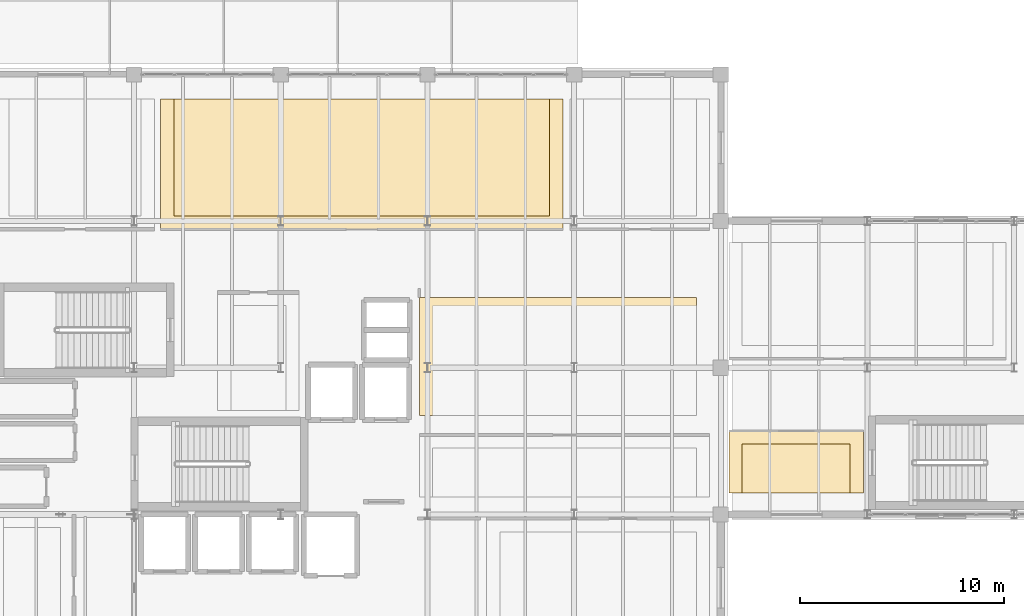
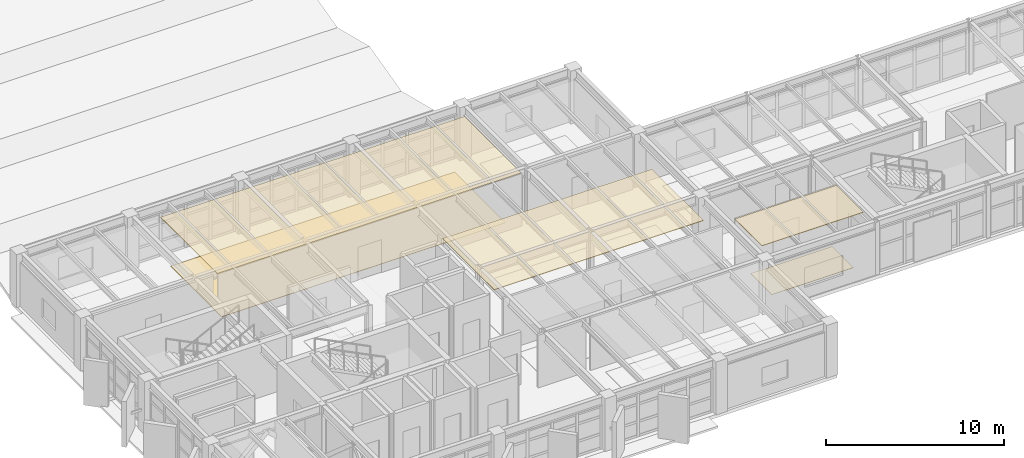
# One storey, part 46 of 48: 5 coverings.
"""IFC4 building model written with IfcOpenShell, lengths in metres."""

from ifc_helpers import new_model, si_unit, direction, frame, origin, place, context, subcontext, project, spatial, polyline, outline, extrude, material, layer, layer_set, type_object, element, save


model = new_model("IFC4")

# Units and contexts
model_context = context("Model", 3, precision=1e-05, world=origin(), true_north=direction((0.0, 1.0)))
body_context = subcontext(model_context, "Body", "Model", "MODEL_VIEW")
ifc_project = project(units=[si_unit("LENGTHUNIT", "METRE"), si_unit("AREAUNIT", "SQUARE_METRE"), si_unit("VOLUMEUNIT", "CUBIC_METRE"), si_unit("PLANEANGLEUNIT", "RADIAN"), si_unit("MASSUNIT", "GRAM", prefix="KILO")], contexts=[model_context])

# Site, building, storey
site_placement = place(None, origin())
site = spatial("IfcSite", under=ifc_project, at=site_placement, CompositionType="ELEMENT")
building_placement = place(site_placement, origin())
building = spatial("IfcBuilding", under=site, at=building_placement, Name="Kandorven Conservatory and Botanical Research Centre", CompositionType="ELEMENT")
storey_placement = place(building_placement, frame((0.0, 0.0, 13.199951171875)))
storey = spatial("IfcBuildingStorey", under=building, at=storey_placement, Name="L03", CompositionType="ELEMENT", Elevation=13.199951171875)

# Coverings
ifc_material_1 = material(Name="Perforated mineral-fibre acoustic ceiling tile", Category="gypsum")
ifc_layer_1 = layer(ifc_material_1, 0.0400390625)
ifc_layer_set_1 = layer_set([ifc_layer_1], Name="Perforated mineral-fibre acoustic ceiling tile")
covering_type_1 = type_object("IfcCoveringType", Name="Cov_Ceiling_1", PredefinedType="CEILING", material=ifc_layer_set_1)
covering_1_placement = place(storey_placement, frame((0.0, 0.0, 3.574951171875)))
element("IfcCovering", 1, at=covering_1_placement, inside=storey, type_object=covering_type_1, Name="Suspended acoustic ceiling CLG-01 (Tissue Culture Clean Research Laboratory L03)", PredefinedType="CEILING", context=body_context, shape_type="SweptSolid", body=[
    extrude(outline(polyline([(27.199951171875, 18.050048828125), (40.800048828125, 18.050048828125), (40.800048828125, 23.85009765625), (27.199951171875, 23.85009765625), (27.199951171875, 18.050048828125)])), origin(), (0.0, 0.0, 1.0), 0.0400390625),
])
covering_2_placement = place(storey_placement, frame((0.0, 0.0, 3.574951171875)))
element("IfcCovering", 2, at=covering_2_placement, inside=storey, type_object=covering_type_1, Name="Suspended acoustic ceiling CLG-01 (Botanical Research Seminar Room L03)", PredefinedType="CEILING", context=body_context, shape_type="SweptSolid", body=[
    extrude(outline(polyline([(14.5, 27.199951171875), (34.25, 27.199951171875), (34.25, 33.60009765625), (14.5, 33.60009765625), (14.5, 27.199951171875)])), origin(), (0.0, 0.0, 1.0), 0.0400390625),
])
covering_3_placement = place(storey_placement, frame((0.0, 0.0, 3.574951171875)))
element("IfcCovering", 3, at=covering_3_placement, inside=storey, type_object=covering_type_1, Name="Suspended acoustic ceiling CLG-01 (Rare Flora Monograph Reading Room)", PredefinedType="CEILING", context=body_context, shape_type="SweptSolid", body=[
    extrude(outline(polyline([(42.39990234375, 14.25), (49.0, 14.25), (49.0, 17.300048828125), (42.39990234375, 17.300048828125), (42.39990234375, 14.25)])), origin(), (0.0, 0.0, 1.0), 0.0400390625),
])
ifc_material_2 = material(Name="Honed Kota stone and epoxy laboratory flooring", Category="masonry")
ifc_layer_2 = layer(ifc_material_2, 0.02490234375)
ifc_layer_set_2 = layer_set([ifc_layer_2], Name="Honed Kota stone and epoxy laboratory flooring")
covering_type_2 = type_object("IfcCoveringType", Name="Cov_Flooring_1", PredefinedType="FLOORING", material=ifc_layer_set_2)
covering_4_placement = place(storey_placement, origin())
element("IfcCovering", 4, at=covering_4_placement, inside=storey, type_object=covering_type_2, Name="Floor finish FLR-01 (Botanical Research Seminar Room L03)", PredefinedType="FLOORING", context=body_context, shape_type="SweptSolid", body=[
    extrude(outline(polyline([(15.14990234375, 27.85009765625), (33.60009765625, 27.85009765625), (33.60009765625, 33.60009765625), (15.14990234375, 33.60009765625), (15.14990234375, 27.85009765625)])), origin(), (0.0, 0.0, 1.0), 0.025146484375),
])
covering_5_placement = place(storey_placement, origin())
element("IfcCovering", 5, at=covering_5_placement, inside=storey, type_object=covering_type_2, Name="Floor finish FLR-01 (Rare Flora Monograph Reading Room)", PredefinedType="FLOORING", context=body_context, shape_type="SweptSolid", body=[
    extrude(outline(polyline([(43.050048828125, 14.25), (48.35009765625, 14.25), (48.35009765625, 16.64990234375), (43.050048828125, 16.64990234375), (43.050048828125, 14.25)])), origin(), (0.0, 0.0, 1.0), 0.025146484375),
])

save(model, "model.ifc")
